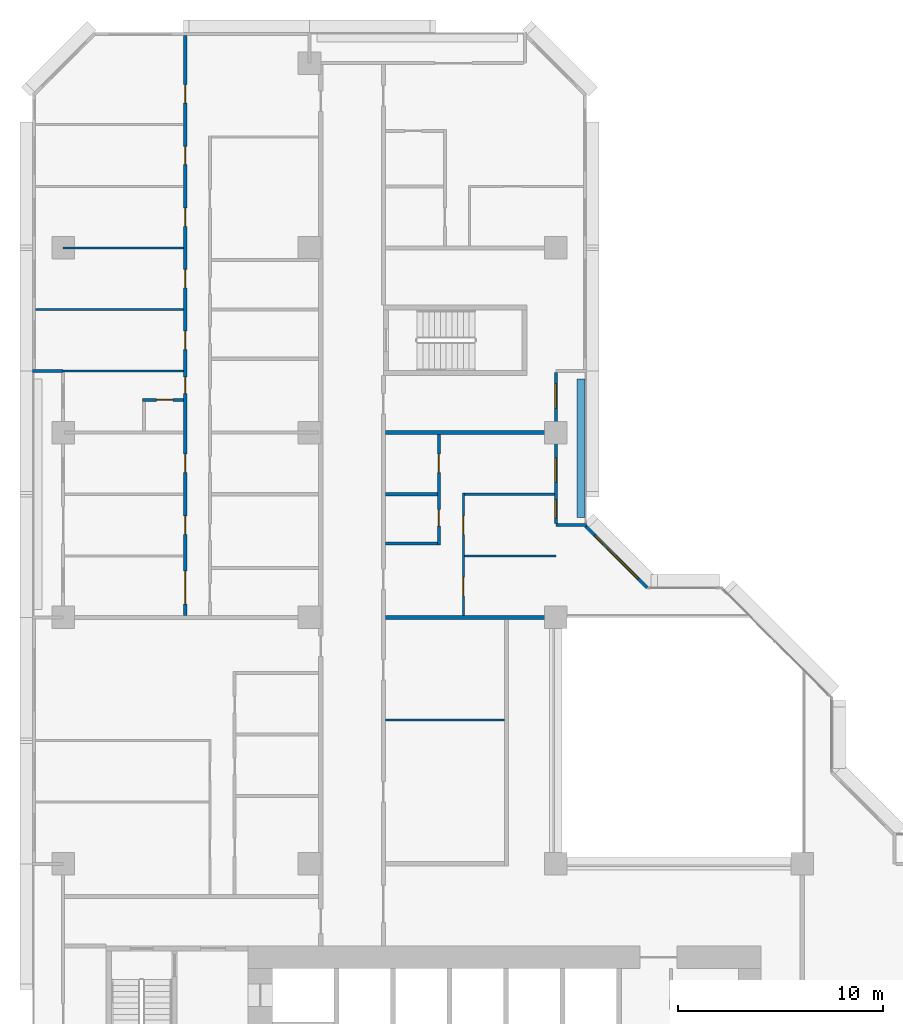
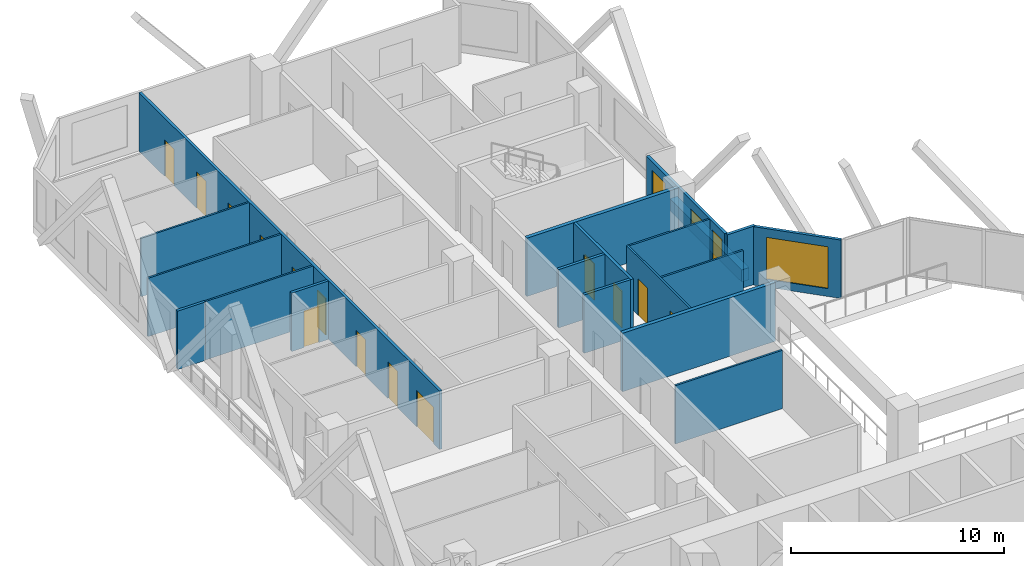
# One storey, part 9 of 15: 19 walls, 14 doors, 4 windows, 18 openings.
"""IFC4 building model written with IfcOpenShell, lengths in metres."""

from ifc_helpers import new_model, si_unit, direction, frame, frame_2d, origin, place, context, subcontext, project, spatial, rectangle, extrude, material, layer, layer_set, type_object, element, fill, save


model = new_model("IFC4")

# Units and contexts
model_context = context("Model", 3, precision=1e-05, world=origin(), true_north=direction((0.0, 1.0)))
body_context = subcontext(model_context, "Body", "Model", "MODEL_VIEW")
ifc_project = project(units=[si_unit("LENGTHUNIT", "METRE"), si_unit("AREAUNIT", "SQUARE_METRE"), si_unit("VOLUMEUNIT", "CUBIC_METRE"), si_unit("PLANEANGLEUNIT", "RADIAN"), si_unit("MASSUNIT", "GRAM", prefix="KILO")], contexts=[model_context])

# Site, building, storey
site_placement = place(None, origin())
site = spatial("IfcSite", under=ifc_project, at=site_placement, CompositionType="ELEMENT")
building_placement = place(site_placement, origin())
building = spatial("IfcBuilding", under=site, at=building_placement, Name="Chenar Terraces", CompositionType="ELEMENT")
storey_placement = place(building_placement, frame((0.0, 0.0, 56.39990234375)))
storey = spatial("IfcBuildingStorey", under=building, at=storey_placement, Name="L11", CompositionType="ELEMENT", Elevation=56.39990234375)

# Wall, openings, windows
ifc_material_1 = material(Name="Aluminium framed glazing", Category="aluminium")
ifc_layer_1 = layer(ifc_material_1, 0.14990234375)
ifc_layer_set_1 = layer_set([ifc_layer_1], Name="Aluminium framed glazing")
wall_type_1 = type_object("IfcWallType", Name="Glazed loggia back wall 150", PredefinedType="SOLIDWALL", material=ifc_layer_set_1)
wall_1_placement = place(storey_placement, frame((24.0, 40.574951171875, 0.0), z_axis=(0.0, 0.0, 1.0), x_axis=(0.0, 1.0, 0.0)))
wall_1 = element("IfcWall", 1, at=wall_1_placement, inside=storey, type_object=wall_type_1, Name="Glazed loggia back wall", PredefinedType="SOLIDWALL", context=body_context, shape_type="SweptSolid", body=[
    extrude(rectangle(XDim=7.35009765625, YDim=0.14990234375, at=frame_2d((3.675048828125, 0.0))), origin(), (0.0, 0.0, 1.0), 3.35009765625),
])
opening_1_placement = place(wall_1_placement, frame((0.262451171875, 0.0, 0.449951171875)))
opening_1 = element("IfcOpeningElement", 2, at=opening_1_placement, cuts=wall_1, Name="Opening W90x240", PredefinedType="OPENING", context=body_context, shape_type="SweptSolid", body=[
    extrude(rectangle(XDim=0.89990234375, YDim=2.39990234375, at=frame_2d((0.449951171875, 1.199951171875))), frame((0.0, 0.0849609375, 0.0), z_axis=(0.0, -1.0, 0.0), x_axis=(1.0, 0.0, 0.0)), (0.0, 0.0, 1.0), 0.169921875),
])
opening_2_placement = place(wall_1_placement, frame((2.0, 0.0, 0.449951171875)))
opening_2 = element("IfcOpeningElement", 3, at=opening_2_placement, cuts=wall_1, Name="Opening W120x240", PredefinedType="OPENING", context=body_context, shape_type="SweptSolid", body=[
    extrude(rectangle(XDim=1.199951171875, YDim=2.39990234375, at=frame_2d((0.60009765625, 1.199951171875))), frame((0.0, 0.0849609375, 0.0), z_axis=(0.0, -1.0, 0.0), x_axis=(1.0, 0.0, 0.0)), (0.0, 0.0, 1.0), 0.169921875),
])
opening_3_placement = place(wall_1_placement, frame((5.612548828125, 0.0, 0.449951171875)))
opening_3 = element("IfcOpeningElement", 4, at=opening_3_placement, cuts=wall_1, Name="Opening W120x240", PredefinedType="OPENING", context=body_context, shape_type="SweptSolid", body=[
    extrude(rectangle(XDim=1.199951171875, YDim=2.39990234375, at=frame_2d((0.60009765625, 1.199951171875))), frame((0.0, 0.0849609375, 0.0), z_axis=(0.0, -1.0, 0.0), x_axis=(1.0, 0.0, 0.0)), (0.0, 0.0, 1.0), 0.169921875),
])
ifc_material_2 = material(Name="Low emissivity double glazing, aluminium frame", Category="aluminium")
window_type_1 = type_object("IfcWindowType", Name="Fixed light 1200 x 2400", PartitioningType="SINGLE_PANEL", PredefinedType="WINDOW", material=ifc_material_2)
window_1_placement = place(opening_2_placement, origin())
window_1 = element("IfcWindow", 5, at=window_1_placement, inside=storey, type_object=window_type_1, Name="Window", OverallHeight=2.39990234375, OverallWidth=1.199951171875, PartitioningType="SINGLE_PANEL", PredefinedType="WINDOW", context=body_context, shape_type="SweptSolid", body=[
    extrude(rectangle(XDim=1.199951171875, YDim=2.39990234375, at=frame_2d((0.60009765625, 1.199951171875))), frame((0.0, 0.030029296875, 0.0), z_axis=(0.0, -1.0, 0.0), x_axis=(1.0, 0.0, 0.0)), (0.0, 0.0, 1.0), 0.06005859375),
])
fill(opening_2, window_1)
window_2_placement = place(opening_3_placement, origin())
window_2 = element("IfcWindow", 6, at=window_2_placement, inside=storey, type_object=window_type_1, Name="Window", OverallHeight=2.39990234375, OverallWidth=1.199951171875, PartitioningType="SINGLE_PANEL", PredefinedType="WINDOW", context=body_context, shape_type="SweptSolid", body=[
    extrude(rectangle(XDim=1.199951171875, YDim=2.39990234375, at=frame_2d((0.60009765625, 1.199951171875))), frame((0.0, 0.030029296875, 0.0), z_axis=(0.0, -1.0, 0.0), x_axis=(1.0, 0.0, 0.0)), (0.0, 0.0, 1.0), 0.06005859375),
])
fill(opening_3, window_2)
ifc_material_3 = material(Name="Low emissivity double glazing, aluminium frame", Category="aluminium")
window_type_2 = type_object("IfcWindowType", Name="Fixed light 900 x 2400", PartitioningType="SINGLE_PANEL", PredefinedType="WINDOW", material=ifc_material_3)
window_3_placement = place(opening_1_placement, origin())
window_3 = element("IfcWindow", 7, at=window_3_placement, inside=storey, type_object=window_type_2, Name="Window", OverallHeight=2.39990234375, OverallWidth=0.89990234375, PartitioningType="SINGLE_PANEL", PredefinedType="WINDOW", context=body_context, shape_type="SweptSolid", body=[
    extrude(rectangle(XDim=0.89990234375, YDim=2.39990234375, at=frame_2d((0.449951171875, 1.199951171875))), frame((0.0, 0.030029296875, 0.0), z_axis=(0.0, -1.0, 0.0), x_axis=(1.0, 0.0, 0.0)), (0.0, 0.0, 1.0), 0.06005859375),
])
fill(opening_1, window_3)

# Walls
ifc_material_4 = material(Name="Gypsum board on steel studs", Category="steel")
ifc_layer_2 = layer(ifc_material_4, 0.10009765625)
ifc_layer_set_2 = layer_set([ifc_layer_2], Name="Gypsum board on steel studs")
wall_type_2 = type_object("IfcWallType", Name="Gypsum partition 100", PredefinedType="PARTITIONING", material=ifc_layer_set_2)
wall_2_placement = place(storey_placement, frame((0.0, 48.0, 0.0), z_axis=(0.0, 0.0, 1.0), x_axis=(1.0, 0.0, 0.0)))
element("IfcWall", 8, at=wall_2_placement, inside=storey, type_object=wall_type_2, Name="Partition L11-006", PredefinedType="PARTITIONING", context=body_context, shape_type="SweptSolid", body=[
    extrude(rectangle(XDim=5.875, YDim=0.10009765625, at=frame_2d((2.9375, 0.0))), origin(), (0.0, 0.0, 1.0), 3.35009765625),
])
wall_3_placement = place(storey_placement, frame((-1.35009765625, 51.0, 0.0), z_axis=(0.0, 0.0, 1.0), x_axis=(1.0, 0.0, 0.0)))
element("IfcWall", 9, at=wall_3_placement, inside=storey, type_object=wall_type_2, Name="Partition L11-007", PredefinedType="PARTITIONING", context=body_context, shape_type="SweptSolid", body=[
    extrude(rectangle(XDim=7.22509765625, YDim=0.10009765625, at=frame_2d((3.612548828125, 0.0))), origin(), (0.0, 0.0, 1.0), 3.35009765625),
])
wall_4_placement = place(storey_placement, frame((0.0, 54.0, 0.0), z_axis=(0.0, 0.0, 1.0), x_axis=(1.0, 0.0, 0.0)))
element("IfcWall", 10, at=wall_4_placement, inside=storey, type_object=wall_type_2, Name="Partition L11-008", PredefinedType="PARTITIONING", context=body_context, shape_type="SweptSolid", body=[
    extrude(rectangle(XDim=5.875, YDim=0.10009765625, at=frame_2d((2.9375, 0.0))), origin(), (0.0, 0.0, 1.0), 3.35009765625),
])
wall_5_placement = place(storey_placement, frame((15.699951171875, 31.0, 0.0), z_axis=(0.0, 0.0, 1.0), x_axis=(1.0, 0.0, 0.0)))
element("IfcWall", 11, at=wall_5_placement, inside=storey, type_object=wall_type_2, Name="Partition L11-040", PredefinedType="PARTITIONING", context=body_context, shape_type="SweptSolid", body=[
    extrude(rectangle(XDim=5.800048828125, YDim=0.10009765625, at=frame_2d((2.89990234375, 0.0))), origin(), (0.0, 0.0, 1.0), 3.35009765625),
])

# Wall, openings, doors
wall_6_placement = place(storey_placement, frame((19.5, 36.10009765625, 0.0), z_axis=(0.0, 0.0, 1.0), x_axis=(0.0, 1.0, 0.0)))
wall_6 = element("IfcWall", 12, at=wall_6_placement, inside=storey, type_object=wall_type_2, Name="Partition L11-051", PredefinedType="PARTITIONING", context=body_context, shape_type="SweptSolid", body=[
    extrude(rectangle(XDim=5.949951171875, YDim=0.10009765625, at=frame_2d((2.97509765625, 0.0))), origin(), (0.0, 0.0, 1.0), 3.35009765625),
])
opening_4_placement = place(wall_6_placement, frame((0.949951171875, 0.0, 0.0)))
opening_4 = element("IfcOpeningElement", 13, at=opening_4_placement, cuts=wall_6, Name="Opening DL11-24", PredefinedType="OPENING", context=body_context, shape_type="SweptSolid", body=[
    extrude(rectangle(XDim=0.89990234375, YDim=2.10009765625, at=frame_2d((0.449951171875, 1.050048828125))), frame((0.0, 0.06005859375, 0.0), z_axis=(0.0, -1.0, 0.0), x_axis=(1.0, 0.0, 0.0)), (0.0, 0.0, 1.0), 0.1201171875),
])
opening_5_placement = place(wall_6_placement, frame((3.949951171875, 0.0, 0.0)))
opening_5 = element("IfcOpeningElement", 14, at=opening_5_placement, cuts=wall_6, Name="Opening DL11-25", PredefinedType="OPENING", context=body_context, shape_type="SweptSolid", body=[
    extrude(rectangle(XDim=0.89990234375, YDim=2.10009765625, at=frame_2d((0.449951171875, 1.050048828125))), frame((0.0, 0.06005859375, 0.0), z_axis=(0.0, -1.0, 0.0), x_axis=(1.0, 0.0, 0.0)), (0.0, 0.0, 1.0), 0.1201171875),
])
ifc_material_5 = material(Name="Veneered timber door leaf", Category="wood")
door_type_1 = type_object("IfcDoorType", Name="Door 900 x 2100", OperationType="SINGLE_SWING_LEFT", PredefinedType="DOOR", material=ifc_material_5)
door_1_placement = place(opening_4_placement, frame((0.89990234375, 0.0, 0.0), z_axis=(0.0, 0.0, 1.0), x_axis=(-1.0, 0.0, 0.0)))
door_1 = element("IfcDoor", 15, at=door_1_placement, inside=storey, type_object=door_type_1, Name="Door DL11-24", OperationType="SINGLE_SWING_LEFT", OverallHeight=2.10009765625, OverallWidth=0.89990234375, PredefinedType="DOOR", context=body_context, shape_type="SweptSolid", body=[
    extrude(rectangle(XDim=0.89990234375, YDim=2.10009765625, at=frame_2d((0.449951171875, 1.050048828125))), frame((0.0, 0.02490234375, 0.0), z_axis=(0.0, -1.0, 0.0), x_axis=(1.0, 0.0, 0.0)), (0.0, 0.0, 1.0), 0.050048828125),
])
fill(opening_4, door_1)
door_2_placement = place(opening_5_placement, frame((0.89990234375, 0.0, 0.0), z_axis=(0.0, 0.0, 1.0), x_axis=(-1.0, 0.0, 0.0)))
door_2 = element("IfcDoor", 16, at=door_2_placement, inside=storey, type_object=door_type_1, Name="Door DL11-25", OperationType="SINGLE_SWING_LEFT", OverallHeight=2.10009765625, OverallWidth=0.89990234375, PredefinedType="DOOR", context=body_context, shape_type="SweptSolid", body=[
    extrude(rectangle(XDim=0.89990234375, YDim=2.10009765625, at=frame_2d((0.449951171875, 1.050048828125))), frame((0.0, 0.02490234375, 0.0), z_axis=(0.0, -1.0, 0.0), x_axis=(1.0, 0.0, 0.0)), (0.0, 0.0, 1.0), 0.050048828125),
])
fill(opening_5, door_2)

# Walls
wall_7_placement = place(storey_placement, frame((19.550048828125, 39.0, 0.0), z_axis=(0.0, 0.0, 1.0), x_axis=(1.0, 0.0, 0.0)))
element("IfcWall", 17, at=wall_7_placement, inside=storey, type_object=wall_type_2, Name="Partition L11-052", PredefinedType="PARTITIONING", context=body_context, shape_type="SweptSolid", body=[
    extrude(rectangle(XDim=4.449951171875, YDim=0.10009765625, at=frame_2d((2.22509765625, 0.0))), origin(), (0.0, 0.0, 1.0), 3.35009765625),
])
wall_8_placement = place(storey_placement, frame((19.550048828125, 42.0, 0.0), z_axis=(0.0, 0.0, 1.0), x_axis=(1.0, 0.0, 0.0)))
element("IfcWall", 18, at=wall_8_placement, inside=storey, type_object=wall_type_2, Name="Partition L11-053", PredefinedType="PARTITIONING", context=body_context, shape_type="SweptSolid", body=[
    extrude(rectangle(XDim=4.3759765625, YDim=0.10009765625, at=frame_2d((2.18798828125, 0.0))), origin(), (0.0, 0.0, 1.0), 3.35009765625),
])
ifc_material_6 = material(Name="Terracotta cladding on insulated backing", Category="masonry")
ifc_layer_3 = layer(ifc_material_6, 0.14990234375)
ifc_layer_set_3 = layer_set([ifc_layer_3], Name="Terracotta cladding on insulated backing")
wall_type_3 = type_object("IfcWallType", Name="Loggia return wall 150", PredefinedType="SOLIDWALL", material=ifc_layer_set_3)
for number, where, z_axis, x_axis, name in (
    (19, (25.5, 40.5, 0.0), (0.0, 0.0, 1.0), (-1.0, 0.0, 0.0), "Loggia return wall"),
    (20, (-1.5, 48.0, 0.0), (0.0, 0.0, 1.0), (1.0, 0.0, 0.0), "Loggia return wall"),
):
    element("IfcWall", number, at=place(storey_placement, frame(where, z_axis=z_axis, x_axis=x_axis)), inside=storey, type_object=wall_type_3, Name=name, PredefinedType="SOLIDWALL", context=body_context, shape_type="SweptSolid", body=[
        extrude(rectangle(XDim=1.5, YDim=0.14990234375, at=frame_2d((0.75, 0.0))), origin(), (0.0, 0.0, 1.0), 3.35009765625),
    ])

# Wall, opening, window
ifc_material_7 = material(Name="Terracotta cladding on insulated backing", Category="masonry")
ifc_layer_4 = layer(ifc_material_7, 0.14990234375)
ifc_layer_set_4 = layer_set([ifc_layer_4], Name="Terracotta cladding on insulated backing")
wall_type_4 = type_object("IfcWallType", Name="Terracotta rainscreen wall 150", PredefinedType="SOLIDWALL", material=ifc_layer_set_4)
wall_9_placement = place(storey_placement, frame((28.447021484375, 37.447021484375, 0.0), z_axis=(0.0, 0.0, 1.0), x_axis=(-0.707106781187, 0.707106781187, 0.0)))
wall_9 = element("IfcWall", 21, at=wall_9_placement, inside=storey, type_object=wall_type_4, Name="Terracotta rainscreen wall", PredefinedType="SOLIDWALL", context=body_context, shape_type="SweptSolid", body=[
    extrude(rectangle(XDim=4.24267578125, YDim=0.14990234375, at=frame_2d((2.121337890625, 0.0))), origin(), (0.0, 0.0, 1.0), 3.35009765625),
])
opening_6_placement = place(wall_9_placement, frame((0.621337890625, 0.0, 0.449951171875)))
opening_6 = element("IfcOpeningElement", 22, at=opening_6_placement, cuts=wall_9, Name="Opening W300x240", PredefinedType="OPENING", context=body_context, shape_type="SweptSolid", body=[
    extrude(rectangle(XDim=3.0, YDim=2.39990234375, at=frame_2d((1.5, 1.199951171875))), frame((0.0, 0.0849609375, 0.0), z_axis=(0.0, -1.0, 0.0), x_axis=(1.0, 0.0, 0.0)), (0.0, 0.0, 1.0), 0.169921875),
])
ifc_material_8 = material(Name="Low emissivity double glazing, aluminium frame", Category="aluminium")
window_type_3 = type_object("IfcWindowType", Name="Fixed light 3000 x 2400", PartitioningType="SINGLE_PANEL", PredefinedType="WINDOW", material=ifc_material_8)
window_4_placement = place(opening_6_placement, origin())
window_4 = element("IfcWindow", 23, at=window_4_placement, inside=storey, type_object=window_type_3, Name="Window", OverallHeight=2.39990234375, OverallWidth=3.0, PartitioningType="SINGLE_PANEL", PredefinedType="WINDOW", context=body_context, shape_type="SweptSolid", body=[
    extrude(rectangle(XDim=3.0, YDim=2.39990234375, at=frame_2d((1.5, 1.199951171875))), frame((0.0, 0.030029296875, 0.0), z_axis=(0.0, -1.0, 0.0), x_axis=(1.0, 0.0, 0.0)), (0.0, 0.0, 1.0), 0.06005859375),
])
fill(opening_6, window_4)

# Walls
ifc_material_9 = material(Name="Twin gypsum board on steel studs with mineral wool", Category="steel")
ifc_layer_5 = layer(ifc_material_9, 0.199951171875)
ifc_layer_set_5 = layer_set([ifc_layer_5], Name="Twin gypsum board on steel studs with mineral wool")
wall_type_5 = type_object("IfcWallType", Name="Unit demising wall 200", PredefinedType="PARTITIONING", material=ifc_layer_set_5)
wall_10_placement = place(storey_placement, frame((15.699951171875, 36.0, 0.0), z_axis=(0.0, 0.0, 1.0), x_axis=(1.0, 0.0, 0.0)))
element("IfcWall", 24, at=wall_10_placement, inside=storey, type_object=wall_type_5, Name="Partition L11-041", PredefinedType="PARTITIONING", context=body_context, shape_type="SweptSolid", body=[
    extrude(rectangle(XDim=8.300048828125, YDim=0.199951171875, at=frame_2d((4.14990234375, 0.0))), origin(), (0.0, 0.0, 1.0), 3.35009765625),
])
wall_11_placement = place(storey_placement, frame((15.699951171875, 45.0, 0.0), z_axis=(0.0, 0.0, 1.0), x_axis=(1.0, 0.0, 0.0)))
element("IfcWall", 25, at=wall_11_placement, inside=storey, type_object=wall_type_5, Name="Partition L11-044", PredefinedType="PARTITIONING", context=body_context, shape_type="SweptSolid", body=[
    extrude(rectangle(XDim=8.22607421875, YDim=0.199951171875, at=frame_2d((4.113037109375, 0.0))), origin(), (0.0, 0.0, 1.0), 3.35009765625),
])
ifc_material_10 = material(Name="GRP planter trough")
ifc_layer_6 = layer(ifc_material_10, 0.39990234375)
ifc_layer_set_6 = layer_set([ifc_layer_6], Name="GRP planter trough")
wall_type_6 = type_object("IfcWallType", Name="Vertical greenery planter 400", PredefinedType="SOLIDWALL", material=ifc_layer_set_6)
wall_12_placement = place(storey_placement, frame((25.22900390625, 40.875, 0.0), z_axis=(0.0, 0.0, 1.0), x_axis=(0.0, 1.0, 0.0)))
element("IfcWall", 26, at=wall_12_placement, inside=storey, type_object=wall_type_6, Name="Vertical greenery planter", PredefinedType="SOLIDWALL", context=body_context, shape_type="SweptSolid", body=[
    extrude(rectangle(XDim=6.75, YDim=0.39990234375, at=frame_2d((3.375, 0.0))), origin(), (0.0, 0.0, 1.0), 0.7001953125),
])

# Wall, opening, door
ifc_material_11 = material(Name="Moisture-resistant gypsum board on steel studs", Category="steel")
ifc_layer_7 = layer(ifc_material_11, 0.14990234375)
ifc_layer_set_7 = layer_set([ifc_layer_7], Name="Moisture-resistant gypsum board on steel studs")
wall_type_7 = type_object("IfcWallType", Name="Wet-room partition 150", PredefinedType="PARTITIONING", material=ifc_layer_set_7)
wall_13_placement = place(storey_placement, frame((3.875, 46.60009765625, 0.0), z_axis=(0.0, 0.0, 1.0), x_axis=(1.0, 0.0, 0.0)))
wall_13 = element("IfcWall", 27, at=wall_13_placement, inside=storey, type_object=wall_type_7, Name="Partition L11-015", PredefinedType="PARTITIONING", context=body_context, shape_type="SweptSolid", body=[
    extrude(rectangle(XDim=2.0, YDim=0.14990234375, at=frame_2d((1.0, 0.0))), origin(), (0.0, 0.0, 1.0), 3.35009765625),
])
opening_7_placement = place(wall_13_placement, frame((0.675048828125, 0.0, 0.0)))
opening_7 = element("IfcOpeningElement", 28, at=opening_7_placement, cuts=wall_13, Name="Opening DL11-45", PredefinedType="OPENING", context=body_context, shape_type="SweptSolid", body=[
    extrude(rectangle(XDim=0.800048828125, YDim=2.10009765625, at=frame_2d((0.39990234375, 1.050048828125))), frame((0.0, 0.0849609375, 0.0), z_axis=(0.0, -1.0, 0.0), x_axis=(1.0, 0.0, 0.0)), (0.0, 0.0, 1.0), 0.169921875),
])
ifc_material_12 = material(Name="Veneered timber door leaf", Category="wood")
door_type_2 = type_object("IfcDoorType", Name="Door 800 x 2100", OperationType="SINGLE_SWING_LEFT", PredefinedType="DOOR", material=ifc_material_12)
door_3_placement = place(opening_7_placement, frame((0.800048828125, 0.0, 0.0), z_axis=(0.0, 0.0, 1.0), x_axis=(-1.0, 0.0, 0.0)))
door_3 = element("IfcDoor", 29, at=door_3_placement, inside=storey, type_object=door_type_2, Name="Door DL11-45", OperationType="SINGLE_SWING_RIGHT", OverallHeight=2.10009765625, OverallWidth=0.800048828125, PredefinedType="DOOR", context=body_context, shape_type="SweptSolid", body=[
    extrude(rectangle(XDim=0.800048828125, YDim=2.10009765625, at=frame_2d((0.39990234375, 1.050048828125))), frame((0.0, 0.02490234375, 0.0), z_axis=(0.0, -1.0, 0.0), x_axis=(1.0, 0.0, 0.0)), (0.0, 0.0, 1.0), 0.050048828125),
])
fill(opening_7, door_3)

# Wall, openings, doors
wall_14_placement = place(storey_placement, frame((5.949951171875, 36.10009765625, 0.0), z_axis=(0.0, 0.0, 1.0), x_axis=(0.0, 1.0, 0.0)))
wall_14 = element("IfcWall", 30, at=wall_14_placement, inside=storey, type_object=wall_type_7, Name="Partition L11-017", PredefinedType="PARTITIONING", context=body_context, shape_type="SweptSolid", body=[
    extrude(rectangle(XDim=28.25, YDim=0.14990234375, at=frame_2d((14.125, 0.0))), origin(), (0.0, 0.0, 1.0), 3.35009765625),
])
opening_8_placement = place(wall_14_placement, frame((3.949951171875, 0.0, 0.0)))
opening_8 = element("IfcOpeningElement", 31, at=opening_8_placement, cuts=wall_14, Name="Opening DL11-33", PredefinedType="OPENING", context=body_context, shape_type="SweptSolid", body=[
    extrude(rectangle(XDim=0.89990234375, YDim=2.10009765625, at=frame_2d((0.449951171875, 1.050048828125))), frame((0.0, 0.0849609375, 0.0), z_axis=(0.0, -1.0, 0.0), x_axis=(1.0, 0.0, 0.0)), (0.0, 0.0, 1.0), 0.169921875),
])
opening_9_placement = place(wall_14_placement, frame((12.949951171875, 0.0, 0.0)))
opening_9 = element("IfcOpeningElement", 32, at=opening_9_placement, cuts=wall_14, Name="Opening DL11-34", PredefinedType="OPENING", context=body_context, shape_type="SweptSolid", body=[
    extrude(rectangle(XDim=0.89990234375, YDim=2.10009765625, at=frame_2d((0.449951171875, 1.050048828125))), frame((0.0, 0.0849609375, 0.0), z_axis=(0.0, -1.0, 0.0), x_axis=(1.0, 0.0, 0.0)), (0.0, 0.0, 1.0), 0.169921875),
])
opening_10_placement = place(wall_14_placement, frame((18.949951171875, 0.0, 0.0)))
opening_10 = element("IfcOpeningElement", 33, at=opening_10_placement, cuts=wall_14, Name="Opening DL11-35", PredefinedType="OPENING", context=body_context, shape_type="SweptSolid", body=[
    extrude(rectangle(XDim=0.89990234375, YDim=2.10009765625, at=frame_2d((0.449951171875, 1.050048828125))), frame((0.0, 0.0849609375, 0.0), z_axis=(0.0, -1.0, 0.0), x_axis=(1.0, 0.0, 0.0)), (0.0, 0.0, 1.0), 0.169921875),
])
opening_11_placement = place(wall_14_placement, frame((21.949951171875, 0.0, 0.0)))
opening_11 = element("IfcOpeningElement", 34, at=opening_11_placement, cuts=wall_14, Name="Opening DL11-36", PredefinedType="OPENING", context=body_context, shape_type="SweptSolid", body=[
    extrude(rectangle(XDim=0.89990234375, YDim=2.10009765625, at=frame_2d((0.449951171875, 1.050048828125))), frame((0.0, 0.0849609375, 0.0), z_axis=(0.0, -1.0, 0.0), x_axis=(1.0, 0.0, 0.0)), (0.0, 0.0, 1.0), 0.169921875),
])
opening_12_placement = place(wall_14_placement, frame((24.949951171875, 0.0, 0.0)))
opening_12 = element("IfcOpeningElement", 35, at=opening_12_placement, cuts=wall_14, Name="Opening DL11-37", PredefinedType="OPENING", context=body_context, shape_type="SweptSolid", body=[
    extrude(rectangle(XDim=0.89990234375, YDim=2.10009765625, at=frame_2d((0.449951171875, 1.050048828125))), frame((0.0, 0.0849609375, 0.0), z_axis=(0.0, -1.0, 0.0), x_axis=(1.0, 0.0, 0.0)), (0.0, 0.0, 1.0), 0.169921875),
])
opening_13_placement = place(wall_14_placement, frame((15.949951171875, 0.0, 0.0)))
opening_13 = element("IfcOpeningElement", 36, at=opening_13_placement, cuts=wall_14, Name="Opening DL11-43", PredefinedType="OPENING", context=body_context, shape_type="SweptSolid", body=[
    extrude(rectangle(XDim=0.89990234375, YDim=2.10009765625, at=frame_2d((0.449951171875, 1.050048828125))), frame((0.0, 0.0849609375, 0.0), z_axis=(0.0, -1.0, 0.0), x_axis=(1.0, 0.0, 0.0)), (0.0, 0.0, 1.0), 0.169921875),
])
opening_14_placement = place(wall_14_placement, frame((10.800048828125, 0.0, 0.0)))
opening_14 = element("IfcOpeningElement", 37, at=opening_14_placement, cuts=wall_14, Name="Opening DL11-44", PredefinedType="OPENING", context=body_context, shape_type="SweptSolid", body=[
    extrude(rectangle(XDim=0.800048828125, YDim=2.10009765625, at=frame_2d((0.39990234375, 1.050048828125))), frame((0.0, 0.0849609375, 0.0), z_axis=(0.0, -1.0, 0.0), x_axis=(1.0, 0.0, 0.0)), (0.0, 0.0, 1.0), 0.169921875),
])
opening_15_placement = place(wall_14_placement, frame((0.550048828125, 0.0, 0.0)))
opening_15 = element("IfcOpeningElement", 38, at=opening_15_placement, cuts=wall_14, Name="Opening DL11-46", PredefinedType="OPENING", context=body_context, shape_type="SweptSolid", body=[
    extrude(rectangle(XDim=1.60009765625, YDim=2.10009765625, at=frame_2d((0.800048828125, 1.050048828125))), frame((0.0, 0.0849609375, 0.0), z_axis=(0.0, -1.0, 0.0), x_axis=(1.0, 0.0, 0.0)), (0.0, 0.0, 1.0), 0.169921875),
])
opening_16_placement = place(wall_14_placement, frame((6.949951171875, 0.0, 0.0)))
opening_16 = element("IfcOpeningElement", 39, at=opening_16_placement, cuts=wall_14, Name="Opening DL11-48", PredefinedType="OPENING", context=body_context, shape_type="SweptSolid", body=[
    extrude(rectangle(XDim=0.89990234375, YDim=2.10009765625, at=frame_2d((0.449951171875, 1.050048828125))), frame((0.0, 0.0849609375, 0.0), z_axis=(0.0, -1.0, 0.0), x_axis=(1.0, 0.0, 0.0)), (0.0, 0.0, 1.0), 0.169921875),
])
door_4_placement = place(opening_14_placement, origin())
door_4 = element("IfcDoor", 40, at=door_4_placement, inside=storey, type_object=door_type_2, Name="Door DL11-44", OperationType="SINGLE_SWING_RIGHT", OverallHeight=2.10009765625, OverallWidth=0.800048828125, PredefinedType="DOOR", context=body_context, shape_type="SweptSolid", body=[
    extrude(rectangle(XDim=0.800048828125, YDim=2.10009765625, at=frame_2d((0.39990234375, 1.050048828125))), frame((0.0, 0.02490234375, 0.0), z_axis=(0.0, -1.0, 0.0), x_axis=(1.0, 0.0, 0.0)), (0.0, 0.0, 1.0), 0.050048828125),
])
fill(opening_14, door_4)
door_5_placement = place(opening_8_placement, origin())
door_5 = element("IfcDoor", 41, at=door_5_placement, inside=storey, type_object=door_type_1, Name="Door DL11-33", OperationType="SINGLE_SWING_RIGHT", OverallHeight=2.10009765625, OverallWidth=0.89990234375, PredefinedType="DOOR", context=body_context, shape_type="SweptSolid", body=[
    extrude(rectangle(XDim=0.89990234375, YDim=2.10009765625, at=frame_2d((0.449951171875, 1.050048828125))), frame((0.0, 0.02490234375, 0.0), z_axis=(0.0, -1.0, 0.0), x_axis=(1.0, 0.0, 0.0)), (0.0, 0.0, 1.0), 0.050048828125),
])
fill(opening_8, door_5)
door_6_placement = place(opening_9_placement, origin())
door_6 = element("IfcDoor", 42, at=door_6_placement, inside=storey, type_object=door_type_1, Name="Door DL11-34", OperationType="SINGLE_SWING_RIGHT", OverallHeight=2.10009765625, OverallWidth=0.89990234375, PredefinedType="DOOR", context=body_context, shape_type="SweptSolid", body=[
    extrude(rectangle(XDim=0.89990234375, YDim=2.10009765625, at=frame_2d((0.449951171875, 1.050048828125))), frame((0.0, 0.02490234375, 0.0), z_axis=(0.0, -1.0, 0.0), x_axis=(1.0, 0.0, 0.0)), (0.0, 0.0, 1.0), 0.050048828125),
])
fill(opening_9, door_6)
door_7_placement = place(opening_10_placement, origin())
door_7 = element("IfcDoor", 43, at=door_7_placement, inside=storey, type_object=door_type_1, Name="Door DL11-35", OperationType="SINGLE_SWING_RIGHT", OverallHeight=2.10009765625, OverallWidth=0.89990234375, PredefinedType="DOOR", context=body_context, shape_type="SweptSolid", body=[
    extrude(rectangle(XDim=0.89990234375, YDim=2.10009765625, at=frame_2d((0.449951171875, 1.050048828125))), frame((0.0, 0.02490234375, 0.0), z_axis=(0.0, -1.0, 0.0), x_axis=(1.0, 0.0, 0.0)), (0.0, 0.0, 1.0), 0.050048828125),
])
fill(opening_10, door_7)
door_8_placement = place(opening_11_placement, origin())
door_8 = element("IfcDoor", 44, at=door_8_placement, inside=storey, type_object=door_type_1, Name="Door DL11-36", OperationType="SINGLE_SWING_RIGHT", OverallHeight=2.10009765625, OverallWidth=0.89990234375, PredefinedType="DOOR", context=body_context, shape_type="SweptSolid", body=[
    extrude(rectangle(XDim=0.89990234375, YDim=2.10009765625, at=frame_2d((0.449951171875, 1.050048828125))), frame((0.0, 0.02490234375, 0.0), z_axis=(0.0, -1.0, 0.0), x_axis=(1.0, 0.0, 0.0)), (0.0, 0.0, 1.0), 0.050048828125),
])
fill(opening_11, door_8)
door_9_placement = place(opening_12_placement, origin())
door_9 = element("IfcDoor", 45, at=door_9_placement, inside=storey, type_object=door_type_1, Name="Door DL11-37", OperationType="SINGLE_SWING_LEFT", OverallHeight=2.10009765625, OverallWidth=0.89990234375, PredefinedType="DOOR", context=body_context, shape_type="SweptSolid", body=[
    extrude(rectangle(XDim=0.89990234375, YDim=2.10009765625, at=frame_2d((0.449951171875, 1.050048828125))), frame((0.0, 0.02490234375, 0.0), z_axis=(0.0, -1.0, 0.0), x_axis=(1.0, 0.0, 0.0)), (0.0, 0.0, 1.0), 0.050048828125),
])
fill(opening_12, door_9)
door_10_placement = place(opening_13_placement, origin())
door_10 = element("IfcDoor", 46, at=door_10_placement, inside=storey, type_object=door_type_1, Name="Door DL11-43", OperationType="SINGLE_SWING_RIGHT", OverallHeight=2.10009765625, OverallWidth=0.89990234375, PredefinedType="DOOR", context=body_context, shape_type="SweptSolid", body=[
    extrude(rectangle(XDim=0.89990234375, YDim=2.10009765625, at=frame_2d((0.449951171875, 1.050048828125))), frame((0.0, 0.02490234375, 0.0), z_axis=(0.0, -1.0, 0.0), x_axis=(1.0, 0.0, 0.0)), (0.0, 0.0, 1.0), 0.050048828125),
])
fill(opening_13, door_10)
door_11_placement = place(opening_16_placement, origin())
door_11 = element("IfcDoor", 47, at=door_11_placement, inside=storey, type_object=door_type_1, Name="Door DL11-48", OperationType="SINGLE_SWING_RIGHT", OverallHeight=2.10009765625, OverallWidth=0.89990234375, PredefinedType="DOOR", context=body_context, shape_type="SweptSolid", body=[
    extrude(rectangle(XDim=0.89990234375, YDim=2.10009765625, at=frame_2d((0.449951171875, 1.050048828125))), frame((0.0, 0.02490234375, 0.0), z_axis=(0.0, -1.0, 0.0), x_axis=(1.0, 0.0, 0.0)), (0.0, 0.0, 1.0), 0.050048828125),
])
fill(opening_16, door_11)
ifc_material_13 = material(Name="Veneered timber door leaf", Category="wood")
door_type_3 = type_object("IfcDoorType", Name="Double door 1600 x 2100", OperationType="DOUBLE_DOOR_SINGLE_SWING", PredefinedType="DOOR", material=ifc_material_13)
door_12_placement = place(opening_15_placement, origin())
door_12 = element("IfcDoor", 48, at=door_12_placement, inside=storey, type_object=door_type_3, Name="Door DL11-46", OperationType="DOUBLE_DOOR_SINGLE_SWING", OverallHeight=2.10009765625, OverallWidth=1.60009765625, PredefinedType="DOOR", context=body_context, shape_type="SweptSolid", body=[
    extrude(rectangle(XDim=1.60009765625, YDim=2.10009765625, at=frame_2d((0.800048828125, 1.050048828125))), frame((0.0, 0.02490234375, 0.0), z_axis=(0.0, -1.0, 0.0), x_axis=(1.0, 0.0, 0.0)), (0.0, 0.0, 1.0), 0.050048828125),
])
fill(opening_15, door_12)

# Walls
for number, where, z_axis, x_axis, name in (
    (49, (15.699951171875, 39.60009765625, 0.0), (0.0, 0.0, 1.0), (1.0, 0.0, 0.0), "Partition L11-042"),
    (50, (15.699951171875, 42.0, 0.0), (0.0, 0.0, 1.0), (1.0, 0.0, 0.0), "Partition L11-043"),
):
    element("IfcWall", number, at=place(storey_placement, frame(where, z_axis=z_axis, x_axis=x_axis)), inside=storey, type_object=wall_type_7, Name=name, PredefinedType="PARTITIONING", context=body_context, shape_type="SweptSolid", body=[
        extrude(rectangle(XDim=2.525146484375, YDim=0.14990234375, at=frame_2d((1.2626953125, 0.0))), origin(), (0.0, 0.0, 1.0), 3.35009765625),
    ])

# Wall, openings, doors
wall_15_placement = place(storey_placement, frame((18.300048828125, 39.52490234375, 0.0), z_axis=(0.0, 0.0, 1.0), x_axis=(0.0, 1.0, 0.0)))
wall_15 = element("IfcWall", 51, at=wall_15_placement, inside=storey, type_object=wall_type_7, Name="Partition L11-049", PredefinedType="PARTITIONING", context=body_context, shape_type="SweptSolid", body=[
    extrude(rectangle(XDim=5.375, YDim=0.14990234375, at=frame_2d((2.6875, 0.0))), origin(), (0.0, 0.0, 1.0), 3.35009765625),
])
opening_17_placement = place(wall_15_placement, frame((0.925048828125, 0.0, 0.0)))
opening_17 = element("IfcOpeningElement", 52, at=opening_17_placement, cuts=wall_15, Name="Opening DL11-23", PredefinedType="OPENING", context=body_context, shape_type="SweptSolid", body=[
    extrude(rectangle(XDim=0.800048828125, YDim=2.10009765625, at=frame_2d((0.39990234375, 1.050048828125))), frame((0.0, 0.0849609375, 0.0), z_axis=(0.0, -1.0, 0.0), x_axis=(1.0, 0.0, 0.0)), (0.0, 0.0, 1.0), 0.169921875),
])
opening_18_placement = place(wall_15_placement, frame((3.52490234375, 0.0, 0.0)))
opening_18 = element("IfcOpeningElement", 53, at=opening_18_placement, cuts=wall_15, Name="Opening DL11-26", PredefinedType="OPENING", context=body_context, shape_type="SweptSolid", body=[
    extrude(rectangle(XDim=0.89990234375, YDim=2.10009765625, at=frame_2d((0.449951171875, 1.050048828125))), frame((0.0, 0.0849609375, 0.0), z_axis=(0.0, -1.0, 0.0), x_axis=(1.0, 0.0, 0.0)), (0.0, 0.0, 1.0), 0.169921875),
])
door_13_placement = place(opening_17_placement, origin())
door_13 = element("IfcDoor", 54, at=door_13_placement, inside=storey, type_object=door_type_2, Name="Door DL11-23", OperationType="SINGLE_SWING_RIGHT", OverallHeight=2.10009765625, OverallWidth=0.800048828125, PredefinedType="DOOR", context=body_context, shape_type="SweptSolid", body=[
    extrude(rectangle(XDim=0.800048828125, YDim=2.10009765625, at=frame_2d((0.39990234375, 1.050048828125))), frame((0.0, 0.02490234375, 0.0), z_axis=(0.0, -1.0, 0.0), x_axis=(1.0, 0.0, 0.0)), (0.0, 0.0, 1.0), 0.050048828125),
])
fill(opening_17, door_13)
door_14_placement = place(opening_18_placement, origin())
door_14 = element("IfcDoor", 55, at=door_14_placement, inside=storey, type_object=door_type_1, Name="Door DL11-26", OperationType="SINGLE_SWING_LEFT", OverallHeight=2.10009765625, OverallWidth=0.89990234375, PredefinedType="DOOR", context=body_context, shape_type="SweptSolid", body=[
    extrude(rectangle(XDim=0.89990234375, YDim=2.10009765625, at=frame_2d((0.449951171875, 1.050048828125))), frame((0.0, 0.02490234375, 0.0), z_axis=(0.0, -1.0, 0.0), x_axis=(1.0, 0.0, 0.0)), (0.0, 0.0, 1.0), 0.050048828125),
])
fill(opening_18, door_14)

save(model, "model.ifc")
